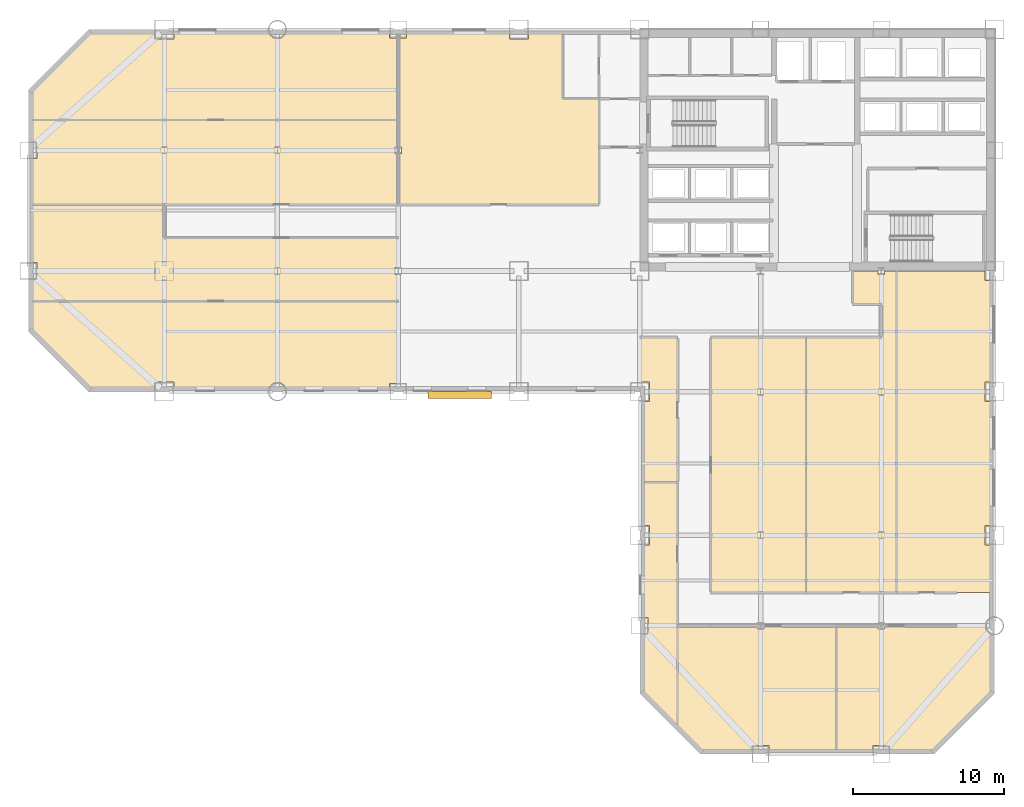
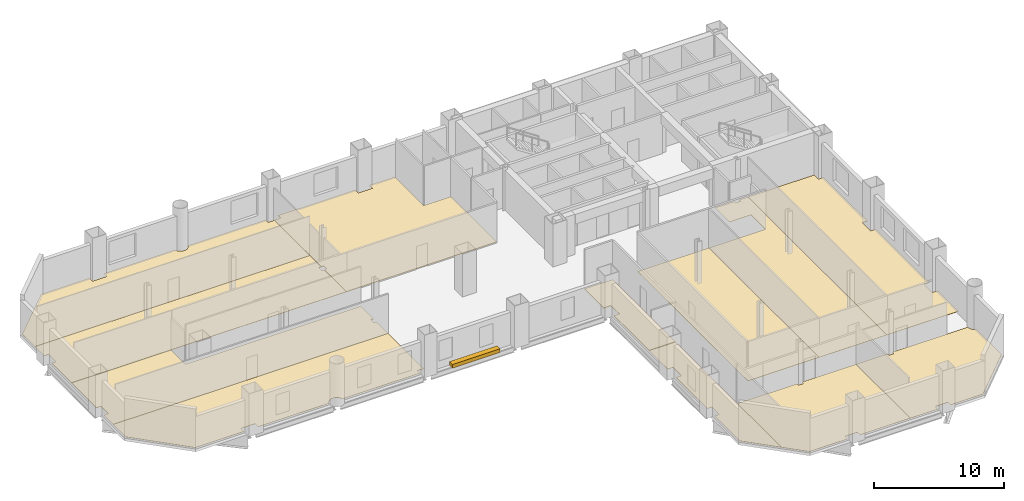
# One storey, part 8 of 9: 12 coverings, 1 shading device.
"""IFC4 building model written with IfcOpenShell, lengths in metres."""

from ifc_helpers import new_model, si_unit, direction, frame, origin, origin_2d, place, context, subcontext, project, spatial, polyline, rectangle, outline, extrude, material, layer, layer_set, type_object, element, save


model = new_model("IFC4")

# Units and contexts
model_context = context("Model", 3, precision=1e-05, world=origin(), true_north=direction((0.0, 1.0)))
body_context = subcontext(model_context, "Body", "Model", "MODEL_VIEW")
ifc_project = project(units=[si_unit("LENGTHUNIT", "METRE"), si_unit("AREAUNIT", "SQUARE_METRE"), si_unit("VOLUMEUNIT", "CUBIC_METRE"), si_unit("PLANEANGLEUNIT", "RADIAN"), si_unit("MASSUNIT", "GRAM", prefix="KILO")], contexts=[model_context])

# Site, building, storey
site_placement = place(None, origin())
site = spatial("IfcSite", under=ifc_project, at=site_placement, CompositionType="ELEMENT")
building_placement = place(site_placement, origin())
building = spatial("IfcBuilding", under=site, at=building_placement, Name="Qianrong Seaharbour Tower", CompositionType="ELEMENT")
storey_placement = place(building_placement, frame((0.0, 0.0, 72.199951171875)))
storey = spatial("IfcBuildingStorey", under=building, at=storey_placement, Name="L17", CompositionType="ELEMENT", Elevation=72.199951171875)

# Coverings
ifc_material_1 = material(Name="Acoustic modular carpet tile flooring")
ifc_layer_1 = layer(ifc_material_1, 0.02001953125)
ifc_layer_set_1 = layer_set([ifc_layer_1], Name="Acoustic modular carpet tile flooring")
covering_type_1 = type_object("IfcCoveringType", Name="COV-FLOOR-CARPET-20", PredefinedType="FLOORING", material=ifc_layer_set_1)
covering_1_placement = place(storey_placement, origin())
element("IfcCovering", 1, at=covering_1_placement, inside=storey, type_object=covering_type_1, Name="L17 Harbour Sunset Lounge 1 Finish Flooring", PredefinedType="FLOORING", context=body_context, shape_type="SweptSolid", body=[
    extrude(outline(polyline([(17.084228515625, 28.1650390625), (17.063720703125, 28.2333984375), (17.007080078125, 28.3388671875), (16.931396484375, 28.431396484375), (16.8388671875, 28.507080078125), (16.7333984375, 28.563720703125), (16.618896484375, 28.598388671875), (16.5, 28.610107421875), (16.381103515625, 28.598388671875), (16.2666015625, 28.563720703125), (16.1611328125, 28.507080078125), (16.068603515625, 28.431396484375), (15.992919921875, 28.3388671875), (15.936279296875, 28.2333984375), (15.915771484375, 28.1650390625), (9.635009765625, 28.1650390625), (9.635009765625, 28.635009765625), (8.364990234375, 28.635009765625), (8.364990234375, 28.1650390625), (4.068359375, 28.1650390625), (0.1650390625, 32.068359375), (0.1650390625, 34.0), (24.5, 34.0), (24.5, 28.56005859375), (23.93994140625, 28.56005859375), (23.93994140625, 28.1650390625), (17.084228515625, 28.1650390625)])), origin(), (0.0, 0.0, 1.0), 0.02001953125),
])
covering_2_placement = place(storey_placement, origin())
element("IfcCovering", 2, at=covering_2_placement, inside=storey, type_object=covering_type_1, Name="L17 Barista Coffee Pantry 2 Finish Flooring", PredefinedType="FLOORING", context=body_context, shape_type="SweptSolid", body=[
    extrude(outline(polyline([(0.1650390625, 34.0), (0.1650390625, 35.43994140625), (0.56005859375, 35.43994140625), (0.56005859375, 36.56005859375), (0.1650390625, 36.56005859375), (0.1650390625, 40.39990234375), (9.0, 40.39990234375), (9.0, 38.199951171875), (24.5, 38.199951171875), (24.5, 36.22412109375), (24.28662109375, 36.22412109375), (24.28662109375, 35.77587890625), (24.5, 35.77587890625), (24.5, 34.0), (0.1650390625, 34.0)])), origin(), (0.0, 0.0, 1.0), 0.02001953125),
])
covering_3_placement = place(storey_placement, origin())
element("IfcCovering", 3, at=covering_3_placement, inside=storey, type_object=covering_type_1, Name="L17 Quiet Sitting Lounge 4 Finish Flooring", PredefinedType="FLOORING", context=body_context, shape_type="SweptSolid", body=[
    extrude(outline(polyline([(0.1650390625, 47.931640625), (4.068359375, 51.8349609375), (8.364990234375, 51.8349609375), (8.364990234375, 51.364990234375), (9.635009765625, 51.364990234375), (9.635009765625, 51.8349609375), (15.915771484375, 51.8349609375), (15.936279296875, 51.7666015625), (15.992919921875, 51.6611328125), (16.068603515625, 51.568603515625), (16.1611328125, 51.492919921875), (16.2666015625, 51.436279296875), (16.381103515625, 51.401611328125), (16.5, 51.389892578125), (16.618896484375, 51.401611328125), (16.7333984375, 51.436279296875), (16.8388671875, 51.492919921875), (16.931396484375, 51.568603515625), (17.007080078125, 51.6611328125), (17.063720703125, 51.7666015625), (17.084228515625, 51.8349609375), (23.93994140625, 51.8349609375), (23.93994140625, 51.43994140625), (24.5, 51.43994140625), (24.5, 46.0), (0.1650390625, 46.0), (0.1650390625, 47.931640625)])), origin(), (0.0, 0.0, 1.0), 0.02001953125),
])
covering_4_placement = place(storey_placement, origin())
element("IfcCovering", 4, at=covering_4_placement, inside=storey, type_object=covering_type_1, Name="L17 Catering Servery Kitchen 2 Finish Flooring", PredefinedType="FLOORING", context=body_context, shape_type="SweptSolid", body=[
    extrude(outline(polyline([(56.5, 31.60009765625), (56.5, 33.800048828125), (54.60009765625, 33.800048828125), (54.60009765625, 36.0), (56.28662109375, 36.0), (56.28662109375, 35.77587890625), (56.71337890625, 35.77587890625), (56.71337890625, 36.0), (57.5, 36.0), (57.5, 14.699951171875), (51.5, 14.699951171875), (51.5, 31.60009765625), (56.5, 31.60009765625)])), origin(), (0.0, 0.0, 1.0), 0.02001953125),
])
covering_5_placement = place(storey_placement, origin())
element("IfcCovering", 5, at=covering_5_placement, inside=storey, type_object=covering_type_1, Name="L17 Staff Lounge 3 Finish Flooring", PredefinedType="FLOORING", context=body_context, shape_type="SweptSolid", body=[
    extrude(outline(polyline([(63.364990234375, 36.0), (63.364990234375, 35.364990234375), (63.8349609375, 35.364990234375), (63.8349609375, 28.635009765625), (63.364990234375, 28.635009765625), (63.364990234375, 27.364990234375), (63.8349609375, 27.364990234375), (63.8349609375, 19.135009765625), (63.364990234375, 19.135009765625), (63.364990234375, 17.864990234375), (63.8349609375, 17.864990234375), (63.8349609375, 14.699951171875), (57.5, 14.699951171875), (57.5, 36.0), (63.364990234375, 36.0)])), origin(), (0.0, 0.0, 1.0), 0.02001953125),
])
covering_6_placement = place(storey_placement, origin())
element("IfcCovering", 6, at=covering_6_placement, inside=storey, type_object=covering_type_1, Name="L17 Wet Pantry 1 Finish Flooring", PredefinedType="FLOORING", context=body_context, shape_type="SweptSolid", body=[
    extrude(outline(polyline([(40.6650390625, 8.068359375), (40.6650390625, 11.93994140625), (41.06005859375, 11.93994140625), (41.06005859375, 13.06005859375), (40.6650390625, 13.06005859375), (40.6650390625, 17.864990234375), (41.135009765625, 17.864990234375), (41.135009765625, 19.135009765625), (40.6650390625, 19.135009765625), (40.6650390625, 22.0), (43.0, 22.0), (43.0, 5.7333984375), (40.6650390625, 8.068359375)])), origin(), (0.0, 0.0, 1.0), 0.02001953125),
])
covering_7_placement = place(storey_placement, origin())
element("IfcCovering", 7, at=covering_7_placement, inside=storey, type_object=covering_type_1, Name="L17 South View Lounge 1 Finish Flooring", PredefinedType="FLOORING", context=body_context, shape_type="SweptSolid", body=[
    extrude(outline(polyline([(53.5, 4.1650390625), (49.06005859375, 4.1650390625), (49.06005859375, 4.56005859375), (47.93994140625, 4.56005859375), (47.93994140625, 4.1650390625), (44.568359375, 4.1650390625), (43.0, 5.7333984375), (43.0, 12.5), (48.28662109375, 12.5), (48.28662109375, 12.27587890625), (48.71337890625, 12.27587890625), (48.71337890625, 12.5), (53.5, 12.5), (53.5, 4.1650390625)])), origin(), (0.0, 0.0, 1.0), 0.02001953125),
])
covering_8_placement = place(storey_placement, origin())
element("IfcCovering", 8, at=covering_8_placement, inside=storey, type_object=covering_type_1, Name="L17 Tea Servery Pantry 2 Finish Flooring", PredefinedType="FLOORING", context=body_context, shape_type="SweptSolid", body=[
    extrude(outline(polyline([(63.8349609375, 8.068359375), (59.931640625, 4.1650390625), (57.06005859375, 4.1650390625), (57.06005859375, 4.56005859375), (55.93994140625, 4.56005859375), (55.93994140625, 4.1650390625), (53.5, 4.1650390625), (53.5, 12.5), (56.28662109375, 12.5), (56.28662109375, 12.27587890625), (56.71337890625, 12.27587890625), (56.71337890625, 12.5), (63.389892578125, 12.5), (63.401611328125, 12.381103515625), (63.436279296875, 12.2666015625), (63.492919921875, 12.1611328125), (63.568603515625, 12.068603515625), (63.6611328125, 11.992919921875), (63.7666015625, 11.936279296875), (63.8349609375, 11.915771484375), (63.8349609375, 8.068359375)])), origin(), (0.0, 0.0, 1.0), 0.02001953125),
])
ifc_material_2 = material(Name="Honed granite stone flooring", Category="masonry")
ifc_layer_2 = layer(ifc_material_2, 0.030029296875)
ifc_layer_set_2 = layer_set([ifc_layer_2], Name="Honed granite stone flooring")
covering_type_2 = type_object("IfcCoveringType", Name="COV-FLOOR-GRANITE-30", PredefinedType="FLOORING", material=ifc_layer_set_2)
covering_9_placement = place(storey_placement, origin())
element("IfcCovering", 9, at=covering_9_placement, inside=storey, type_object=covering_type_2, Name="L17 Hospitality Dining Room 3 Finish Flooring", PredefinedType="FLOORING", context=body_context, shape_type="SweptSolid", body=[
    extrude(outline(polyline([(0.1650390625, 40.39990234375), (0.1650390625, 43.43994140625), (0.56005859375, 43.43994140625), (0.56005859375, 44.56005859375), (0.1650390625, 44.56005859375), (0.1650390625, 46.0), (24.5, 46.0), (24.5, 44.22412109375), (24.28662109375, 44.22412109375), (24.28662109375, 43.77587890625), (24.5, 43.77587890625), (24.5, 40.39990234375), (0.1650390625, 40.39990234375)])), origin(), (0.0, 0.0, 1.0), 0.030029296875),
])
covering_10_placement = place(storey_placement, origin())
element("IfcCovering", 10, at=covering_10_placement, inside=storey, type_object=covering_type_2, Name="L17 East Harbour Dining Salon 1 Finish Flooring", PredefinedType="FLOORING", context=body_context, shape_type="SweptSolid", body=[
    extrude(outline(polyline([(51.5, 31.60009765625), (51.5, 14.699951171875), (45.199951171875, 14.699951171875), (45.199951171875, 31.60009765625), (51.5, 31.60009765625)])), origin(), (0.0, 0.0, 1.0), 0.030029296875),
])
ifc_material_3 = material(Name="Calcium-sulphate raised access floor tile")
ifc_layer_3 = layer(ifc_material_3, 0.044921875)
ifc_layer_set_3 = layer_set([ifc_layer_3], Name="Calcium-sulphate raised access floor tile")
covering_type_3 = type_object("IfcCoveringType", Name="COV-FLOOR-RAISED-45", PredefinedType="FLOORING", material=ifc_layer_set_3)
covering_11_placement = place(storey_placement, origin())
element("IfcCovering", 11, at=covering_11_placement, inside=storey, type_object=covering_type_3, Name="L17 Central Spine Open-Plan Office Finish Flooring", PredefinedType="FLOORING", context=body_context, shape_type="SweptSolid", body=[
    extrude(outline(polyline([(31.864990234375, 51.8349609375), (31.864990234375, 51.364990234375), (33.135009765625, 51.364990234375), (33.135009765625, 51.8349609375), (35.39990234375, 51.8349609375), (35.39990234375, 47.39990234375), (37.800048828125, 47.39990234375), (37.800048828125, 40.39990234375), (24.5, 40.39990234375), (24.5, 43.77587890625), (24.71337890625, 43.77587890625), (24.71337890625, 44.22412109375), (24.5, 44.22412109375), (24.5, 51.43994140625), (25.06005859375, 51.43994140625), (25.06005859375, 51.8349609375), (31.864990234375, 51.8349609375)])), origin(), (0.0, 0.0, 1.0), 0.045166015625),
])
covering_12_placement = place(storey_placement, origin())
element("IfcCovering", 12, at=covering_12_placement, inside=storey, type_object=covering_type_3, Name="L17 Concierge Office 2 Finish Flooring", PredefinedType="FLOORING", context=body_context, shape_type="SweptSolid", body=[
    extrude(outline(polyline([(43.0, 22.0), (40.6650390625, 22.0), (40.6650390625, 27.364990234375), (41.135009765625, 27.364990234375), (41.135009765625, 28.635009765625), (40.5, 28.635009765625), (40.5, 31.60009765625), (43.0, 31.60009765625), (43.0, 22.0)])), origin(), (0.0, 0.0, 1.0), 0.045166015625),
])

# Shading device
ifc_material_4 = material(Name="White architectural precast concrete C45/55", Category="concrete")
shading_device_type = type_object("IfcShadingDeviceType", Name="SHD-SUNSHADE-WHITE-320", PredefinedType="AWNING", material=ifc_material_4)
shading_device_placement = place(storey_placement, frame((28.574951171875, 27.780029296875, -0.02001953125), z_axis=(0.0, 0.0, 1.0), x_axis=(1.0, 0.0, 0.0)))
element("IfcShadingDevice", 13, at=shading_device_placement, inside=storey, type_object=shading_device_type, Name="L17 Climbing White Precast Ribbon Canopy Fin", PredefinedType="AWNING", context=body_context, shape_type="SweptSolid", body=[
    extrude(rectangle(XDim=4.199951171875, YDim=0.4599609375, at=origin_2d()), origin(), (0.0, 0.0, 1.0), 0.340087890625),
])

save(model, "model.ifc")
